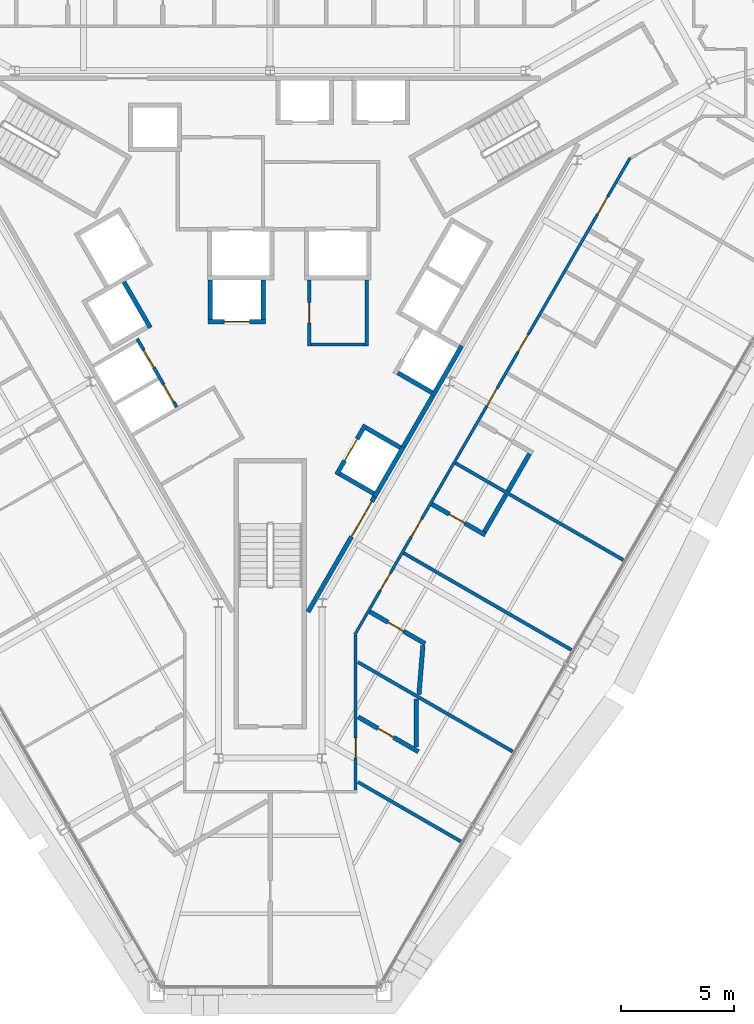
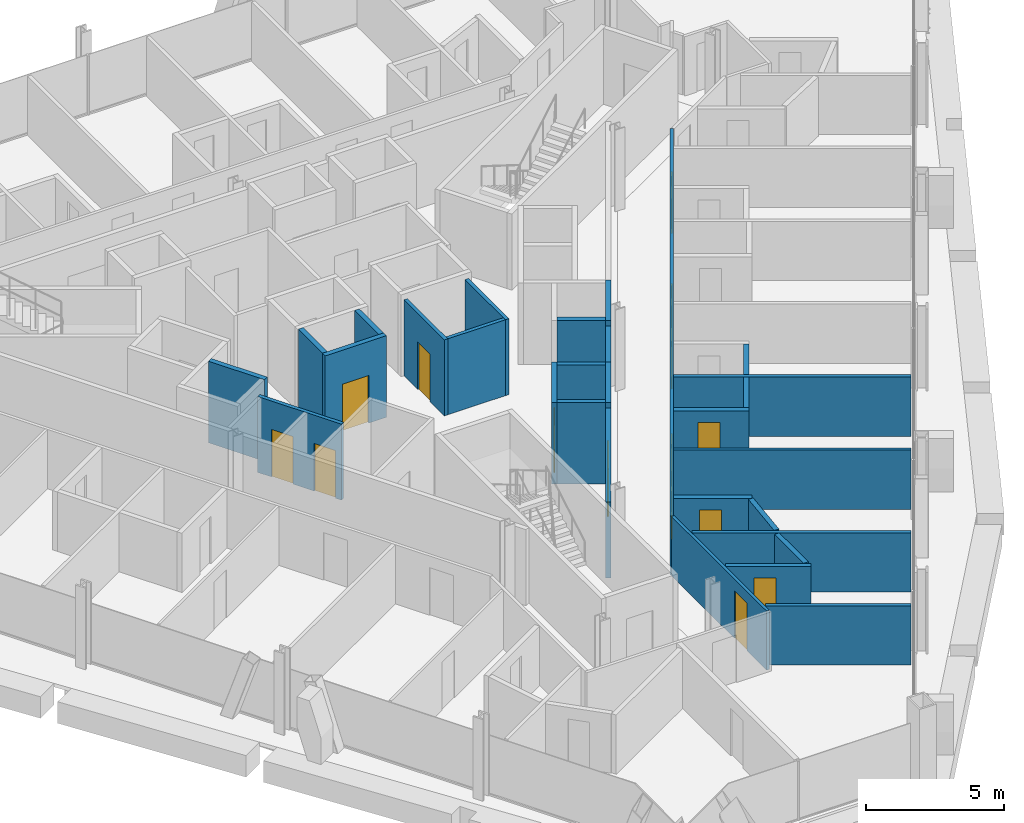
# One storey, part 11 of 17: 29 walls, 15 doors, 15 openings.
"""IFC4 building model written with IfcOpenShell, lengths in metres."""

from ifc_helpers import new_model, si_unit, direction, frame, frame_2d, origin, place, context, subcontext, project, spatial, rectangle, extrude, material, layer, layer_set, type_object, element, fill, save


model = new_model("IFC4")

# Units and contexts
model_context = context("Model", 3, precision=1e-05, world=origin(), true_north=direction((0.0, 1.0)))
body_context = subcontext(model_context, "Body", "Model", "MODEL_VIEW")
ifc_project = project(units=[si_unit("LENGTHUNIT", "METRE"), si_unit("AREAUNIT", "SQUARE_METRE"), si_unit("VOLUMEUNIT", "CUBIC_METRE"), si_unit("PLANEANGLEUNIT", "RADIAN"), si_unit("MASSUNIT", "GRAM", prefix="KILO")], contexts=[model_context])

# Site, building, storey
site_placement = place(None, origin())
site = spatial("IfcSite", under=ifc_project, at=site_placement, CompositionType="ELEMENT")
building_placement = place(site_placement, origin())
building = spatial("IfcBuilding", under=site, at=building_placement, Name="Verrane Prism Tower", CompositionType="ELEMENT")
storey_placement = place(building_placement, frame((0.0, 0.0, 136.0)))
storey = spatial("IfcBuildingStorey", under=building, at=storey_placement, Name="L33", CompositionType="ELEMENT", Elevation=136.0)

# Wall, opening, door
ifc_material_1 = material(Name="Gypsum board partition", Category="other")
ifc_layer_1 = layer(ifc_material_1, 0.199951171875)
ifc_layer_set_1 = layer_set([ifc_layer_1], Name="CW-200 core boundary wall 2 h")
wall_type_1 = type_object("IfcWallType", Name="CW-200 core boundary wall 2 h", PredefinedType="PARTITIONING", material=ifc_layer_set_1)
wall_1_placement = place(storey_placement, frame((1.677490234375, -14.814697265625, 0.0), z_axis=(0.0, 0.0, 1.0), x_axis=(0.49999445743, 0.866028603765, 0.0)))
wall_1 = element("IfcWall", 1, at=wall_1_placement, inside=storey, type_object=wall_type_1, Name="Core boundary wall CW3-003", PredefinedType="PARTITIONING", context=body_context, shape_type="SweptSolid", body=[
    extrude(rectangle(XDim=5.90478515625, YDim=0.199951171875, at=frame_2d((2.952392578125, 0.0))), origin(), (0.0, 0.0, 1.0), 3.35009765625),
])
opening_1_placement = place(wall_1_placement, frame((3.85498046875, 0.0, 0.0)))
opening_1 = element("IfcOpeningElement", 2, at=opening_1_placement, cuts=wall_1, Name="Opening D32517", PredefinedType="OPENING", context=body_context, shape_type="SweptSolid", body=[
    extrude(rectangle(XDim=1.800048828125, YDim=2.10009765625, at=frame_2d((0.89990234375, 1.050048828125))), frame((0.0, 0.10986328125, 0.0), z_axis=(0.0, -1.0, 0.0), x_axis=(1.0, 0.0, 0.0)), (0.0, 0.0, 1.0), 0.219970703125),
])
ifc_material_2 = material(Name="Timber veneered door leaf", Category="wood")
door_type_1 = type_object("IfcDoorType", Name="DR-1800x2100 FD60 double leaf lift lobby", OperationType="NOTDEFINED", PredefinedType="DOOR", material=ifc_material_2)
door_1_placement = place(opening_1_placement, origin())
door_1 = element("IfcDoor", 3, at=door_1_placement, inside=storey, type_object=door_type_1, Name="Lift lobby door D32517", OperationType="DOUBLE_DOOR_SINGLE_SWING", OverallHeight=2.10009765625, OverallWidth=1.800048828125, PredefinedType="DOOR", context=body_context, shape_type="SweptSolid", body=[
    extrude(rectangle(XDim=1.800048828125, YDim=2.10009765625, at=frame_2d((0.89990234375, 1.050048828125))), frame((0.0, 0.02490234375, 0.0), z_axis=(0.0, -1.0, 0.0), x_axis=(1.0, 0.0, 0.0)), (0.0, 0.0, 1.0), 0.050048828125),
])
fill(opening_1, door_1)

# Wall
wall_2_placement = place(storey_placement, frame((5.906005859375, -7.489990234375, 0.0), z_axis=(0.0, 0.0, 1.0), x_axis=(0.500252727967, 0.865879442048, 0.0)))
element("IfcWall", 4, at=wall_2_placement, inside=storey, type_object=wall_type_1, Name="Core boundary wall CW3-005", PredefinedType="PARTITIONING", context=body_context, shape_type="SweptSolid", body=[
    extrude(rectangle(XDim=2.616943359375, YDim=0.199951171875, at=frame_2d((1.30859375, 0.0))), origin(), (0.0, 0.0, 1.0), 3.35009765625),
])

# Wall, opening, door
ifc_material_3 = material(Name="Gypsum board shaft wall assembly", Category="other")
ifc_layer_2 = layer(ifc_material_3, 0.199951171875)
ifc_layer_set_2 = layer_set([ifc_layer_2], Name="HW-200 lift shaft wall 2 h")
wall_type_2 = type_object("IfcWallType", Name="HW-200 lift shaft wall 2 h", PredefinedType="PARTITIONING", material=ifc_layer_set_2)
wall_3_placement = place(storey_placement, frame((-2.7548828125, -1.949951171875, 0.0), z_axis=(0.0, 0.0, 1.0), x_axis=(1.0, 0.0, 0.0)))
wall_3 = element("IfcWall", 5, at=wall_3_placement, inside=storey, type_object=wall_type_2, Name="Lift shaft wall", PredefinedType="PARTITIONING", context=body_context, shape_type="SweptSolid", body=[
    extrude(rectangle(XDim=2.5498046875, YDim=0.199951171875, at=frame_2d((1.27490234375, 0.0))), origin(), (0.0, 0.0, 1.0), 3.60009765625),
])
opening_2_placement = place(wall_3_placement, frame((0.72509765625, 0.0, 0.0)))
opening_2 = element("IfcOpeningElement", 6, at=opening_2_placement, cuts=wall_3, Name="Opening D32504", PredefinedType="OPENING", context=body_context, shape_type="SweptSolid", body=[
    extrude(rectangle(XDim=1.10009765625, YDim=2.10009765625, at=frame_2d((0.550048828125, 1.050048828125))), frame((0.0, 0.10986328125, 0.0), z_axis=(0.0, -1.0, 0.0), x_axis=(1.0, 0.0, 0.0)), (0.0, 0.0, 1.0), 0.219970703125),
])
ifc_material_4 = material(Name="Stainless steel sliding landing door", Category="steel")
door_type_2 = type_object("IfcDoorType", Name="LD-1100x2100 lift landing door FD90 sliding", OperationType="NOTDEFINED", PredefinedType="DOOR", material=ifc_material_4)
door_2_placement = place(opening_2_placement, origin())
door_2 = element("IfcDoor", 7, at=door_2_placement, inside=storey, type_object=door_type_2, Name="Bank A lift 2 landing door", OperationType="SLIDING_TO_RIGHT", OverallHeight=2.10009765625, OverallWidth=1.10009765625, PredefinedType="DOOR", context=body_context, shape_type="SweptSolid", body=[
    extrude(rectangle(XDim=1.10009765625, YDim=2.10009765625, at=frame_2d((0.550048828125, 1.050048828125))), frame((0.0, 0.02490234375, 0.0), z_axis=(0.0, -1.0, 0.0), x_axis=(1.0, 0.0, 0.0)), (0.0, 0.0, 1.0), 0.050048828125),
])
fill(opening_2, door_2)

# Walls
wall_4_placement = place(storey_placement, frame((4.63037109375, -9.69970703125, 0.0), z_axis=(0.0, 0.0, 1.0), x_axis=(0.500062241894, 0.865989465428, 0.0)))
element("IfcWall", 8, at=wall_4_placement, inside=storey, type_object=wall_type_2, Name="Lift shaft wall", PredefinedType="PARTITIONING", context=body_context, shape_type="SweptSolid", body=[
    extrude(rectangle(XDim=2.550048828125, YDim=0.199951171875, at=frame_2d((1.27490234375, 0.0))), origin(), (0.0, 0.0, 1.0), 3.60009765625),
])
wall_5_placement = place(storey_placement, frame((7.215576171875, -5.222412109375, 0.0), z_axis=(0.0, 0.0, 1.0), x_axis=(0.499990435942, 0.866030925526, 0.0)))
element("IfcWall", 9, at=wall_5_placement, inside=storey, type_object=wall_type_2, Name="Lift shaft wall", PredefinedType="PARTITIONING", context=body_context, shape_type="SweptSolid", body=[
    extrude(rectangle(XDim=2.5498046875, YDim=0.199951171875, at=frame_2d((1.27490234375, 0.0))), origin(), (0.0, 0.0, 1.0), 3.60009765625),
])

# Wall, opening, door
wall_6_placement = place(storey_placement, frame((2.941650390625, -8.724853515625, 0.0), z_axis=(0.0, 0.0, 1.0), x_axis=(0.500020783669, 0.866013403995, 0.0)))
wall_6 = element("IfcWall", 10, at=wall_6_placement, inside=storey, type_object=wall_type_2, Name="Lift shaft wall", PredefinedType="PARTITIONING", context=body_context, shape_type="SweptSolid", body=[
    extrude(rectangle(XDim=2.55029296875, YDim=0.199951171875, at=frame_2d((1.275146484375, 0.0))), origin(), (0.0, 0.0, 1.0), 3.60009765625),
])
opening_3_placement = place(wall_6_placement, frame((0.72509765625, 0.0, 0.0)))
opening_3 = element("IfcOpeningElement", 11, at=opening_3_placement, cuts=wall_6, Name="Opening D32506", PredefinedType="OPENING", context=body_context, shape_type="SweptSolid", body=[
    extrude(rectangle(XDim=1.10009765625, YDim=2.10009765625, at=frame_2d((0.550048828125, 1.050048828125))), frame((0.0, 0.10986328125, 0.0), z_axis=(0.0, -1.0, 0.0), x_axis=(1.0, 0.0, 0.0)), (0.0, 0.0, 1.0), 0.219970703125),
])
door_3_placement = place(opening_3_placement, origin())
door_3 = element("IfcDoor", 12, at=door_3_placement, inside=storey, type_object=door_type_2, Name="Bank A lift 4 landing door", OperationType="SLIDING_TO_RIGHT", OverallHeight=2.10009765625, OverallWidth=1.10009765625, PredefinedType="DOOR", context=body_context, shape_type="SweptSolid", body=[
    extrude(rectangle(XDim=1.10009765625, YDim=2.10009765625, at=frame_2d((0.550048828125, 1.050048828125))), frame((0.0, 0.02490234375, 0.0), z_axis=(0.0, -1.0, 0.0), x_axis=(1.0, 0.0, 0.0)), (0.0, 0.0, 1.0), 0.050048828125),
])
fill(opening_3, door_3)

# Walls
for number, where, z_axis, x_axis, name in (
    (13, (-0.304931640625, -1.85009765625, 0.0), (0.0, 0.0, 1.0), (0.0, 1.0, 0.0), "Lift shaft wall"),
    (14, (-2.655029296875, -1.85009765625, 0.0), (0.0, 0.0, 1.0), (0.0, 1.0, 0.0), "Lift shaft wall"),
):
    element("IfcWall", number, at=place(storey_placement, frame(where, z_axis=z_axis, x_axis=x_axis)), inside=storey, type_object=wall_type_2, Name=name, PredefinedType="PARTITIONING", context=body_context, shape_type="SweptSolid", body=[
        extrude(rectangle(XDim=1.75, YDim=0.199951171875, at=frame_2d((0.875, 0.0))), origin(), (0.0, 0.0, 1.0), 3.60009765625),
    ])
wall_7_placement = place(storey_placement, frame((-5.317626953125, -2.209716796875, 0.0), z_axis=(0.0, 0.0, 1.0), x_axis=(-0.499938297808, 0.866061024631, 0.0)))
element("IfcWall", 15, at=wall_7_placement, inside=storey, type_object=wall_type_2, Name="Lift shaft wall", PredefinedType="PARTITIONING", context=body_context, shape_type="SweptSolid", body=[
    extrude(rectangle(XDim=2.349853515625, YDim=0.199951171875, at=frame_2d((1.1748046875, 0.0))), origin(), (0.0, 0.0, 1.0), 3.60009765625),
])
wall_8_placement = place(storey_placement, frame((7.178955078125, -5.085693359375, 0.0), z_axis=(0.0, 0.0, 1.0), x_axis=(-0.866036909293, 0.499980071345, 0.0)))
element("IfcWall", 16, at=wall_8_placement, inside=storey, type_object=wall_type_2, Name="Lift shaft wall", PredefinedType="PARTITIONING", context=body_context, shape_type="SweptSolid", body=[
    extrude(rectangle(XDim=1.75, YDim=0.199951171875, at=frame_2d((0.875, 0.0))), origin(), (0.0, 0.0, 1.0), 3.60009765625),
])
wall_9_placement = place(storey_placement, frame((5.768798828125, -7.528076171875, 0.0), z_axis=(0.0, 0.0, 1.0), x_axis=(-0.866002029911, 0.500040482552, 0.0)))
element("IfcWall", 17, at=wall_9_placement, inside=storey, type_object=wall_type_2, Name="Lift shaft wall", PredefinedType="PARTITIONING", context=body_context, shape_type="SweptSolid", body=[
    extrude(rectangle(XDim=1.749755859375, YDim=0.199951171875, at=frame_2d((0.875, 0.0))), origin(), (0.0, 0.0, 1.0), 3.60009765625),
])
wall_10_placement = place(storey_placement, frame((4.593994140625, -9.563232421875, 0.0), z_axis=(0.0, 0.0, 1.0), x_axis=(-0.866036909293, 0.499980071345, 0.0)))
element("IfcWall", 18, at=wall_10_placement, inside=storey, type_object=wall_type_2, Name="Lift shaft wall", PredefinedType="PARTITIONING", context=body_context, shape_type="SweptSolid", body=[
    extrude(rectangle(XDim=1.75, YDim=0.199951171875, at=frame_2d((0.875, 0.0))), origin(), (0.0, 0.0, 1.0), 3.60009765625),
])

# Wall, opening, door
ifc_material_5 = material(Name="Gypsum board partition", Category="other")
ifc_layer_3 = layer(ifc_material_5, 0.125)
ifc_layer_set_3 = layer_set([ifc_layer_3], Name="PW-125 corridor wall 1 h")
wall_type_3 = type_object("IfcWallType", Name="PW-125 corridor wall 1 h", PredefinedType="PARTITIONING", material=ifc_layer_set_3)
wall_11_placement = place(storey_placement, frame((3.787109375, -15.846923828125, 0.0), z_axis=(0.0, 0.0, 1.0), x_axis=(0.0, -1.0, 0.0)))
wall_11 = element("IfcWall", 19, at=wall_11_placement, inside=storey, type_object=wall_type_3, Name="Corridor wall 052", PredefinedType="PARTITIONING", context=body_context, shape_type="SweptSolid", body=[
    extrude(rectangle(XDim=6.875, YDim=0.125, at=frame_2d((3.4375, 0.0))), origin(), (0.0, 0.0, 1.0), 2.613037109375),
])
opening_4_placement = place(wall_11_placement, frame((4.551025390625, 0.0, 0.0)))
opening_4 = element("IfcOpeningElement", 20, at=opening_4_placement, cuts=wall_11, Name="Opening D32001", PredefinedType="OPENING", context=body_context, shape_type="SweptSolid", body=[
    extrude(rectangle(XDim=0.89990234375, YDim=2.10009765625, at=frame_2d((0.449951171875, 1.050048828125))), frame((0.0, 0.072509765625, 0.0), z_axis=(0.0, -1.0, 0.0), x_axis=(1.0, 0.0, 0.0)), (0.0, 0.0, 1.0), 0.14501953125),
])
ifc_material_6 = material(Name="Timber veneered door leaf", Category="wood")
door_type_3 = type_object("IfcDoorType", Name="DR-900x2100 FD20 single leaf unit", OperationType="NOTDEFINED", PredefinedType="DOOR", material=ifc_material_6)
door_4_placement = place(opening_4_placement, origin())
door_4 = element("IfcDoor", 21, at=door_4_placement, inside=storey, type_object=door_type_3, Name="Guest Room door", OperationType="SINGLE_SWING_RIGHT", OverallHeight=2.10009765625, OverallWidth=0.89990234375, PredefinedType="DOOR", context=body_context, shape_type="SweptSolid", body=[
    extrude(rectangle(XDim=0.89990234375, YDim=2.10009765625, at=frame_2d((0.449951171875, 1.050048828125))), frame((0.0, 0.02490234375, 0.0), z_axis=(0.0, -1.0, 0.0), x_axis=(1.0, 0.0, 0.0)), (0.0, 0.0, 1.0), 0.050048828125),
])
fill(opening_4, door_4)

# Wall, openings, doors
wall_12_placement = place(storey_placement, frame((15.962158203125, 5.326171875, 0.0), z_axis=(0.0, 0.0, 1.0), x_axis=(-0.499992829944, -0.866029543379, 0.0)))
wall_12 = element("IfcWall", 22, at=wall_12_placement, inside=storey, type_object=wall_type_3, Name="Corridor wall 056", PredefinedType="PARTITIONING", context=body_context, shape_type="SweptSolid", body=[
    extrude(rectangle(XDim=24.412841796875, YDim=0.125, at=frame_2d((12.20654296875, 0.0))), origin(), (0.0, 0.0, 1.0), 2.613037109375),
])
opening_5_placement = place(wall_12_placement, frame((21.257568359375, 0.0, 0.0)))
opening_5 = element("IfcOpeningElement", 23, at=opening_5_placement, cuts=wall_12, Name="Opening D32003", PredefinedType="OPENING", context=body_context, shape_type="SweptSolid", body=[
    extrude(rectangle(XDim=0.89990234375, YDim=2.10009765625, at=frame_2d((0.449951171875, 1.050048828125))), frame((0.0, 0.072509765625, 0.0), z_axis=(0.0, -1.0, 0.0), x_axis=(1.0, 0.0, 0.0)), (0.0, 0.0, 1.0), 0.14501953125),
])
opening_6_placement = place(wall_12_placement, frame((18.50244140625, 0.0, 0.0)))
opening_6 = element("IfcOpeningElement", 24, at=opening_6_placement, cuts=wall_12, Name="Opening D32005", PredefinedType="OPENING", context=body_context, shape_type="SweptSolid", body=[
    extrude(rectangle(XDim=0.89990234375, YDim=2.10009765625, at=frame_2d((0.449951171875, 1.050048828125))), frame((0.0, 0.072509765625, 0.0), z_axis=(0.0, -1.0, 0.0), x_axis=(1.0, 0.0, 0.0)), (0.0, 0.0, 1.0), 0.14501953125),
])
opening_7_placement = place(wall_12_placement, frame((11.798583984375, 0.0, 0.0)))
opening_7 = element("IfcOpeningElement", 25, at=opening_7_placement, cuts=wall_12, Name="Opening D32007", PredefinedType="OPENING", context=body_context, shape_type="SweptSolid", body=[
    extrude(rectangle(XDim=0.89990234375, YDim=2.10009765625, at=frame_2d((0.449951171875, 1.050048828125))), frame((0.0, 0.072509765625, 0.0), z_axis=(0.0, -1.0, 0.0), x_axis=(1.0, 0.0, 0.0)), (0.0, 0.0, 1.0), 0.14501953125),
])
opening_8_placement = place(wall_12_placement, frame((9.04345703125, 0.0, 0.0)))
opening_8 = element("IfcOpeningElement", 26, at=opening_8_placement, cuts=wall_12, Name="Opening D32009", PredefinedType="OPENING", context=body_context, shape_type="SweptSolid", body=[
    extrude(rectangle(XDim=0.89990234375, YDim=2.10009765625, at=frame_2d((0.449951171875, 1.050048828125))), frame((0.0, 0.072509765625, 0.0), z_axis=(0.0, -1.0, 0.0), x_axis=(1.0, 0.0, 0.0)), (0.0, 0.0, 1.0), 0.14501953125),
])
opening_9_placement = place(wall_12_placement, frame((1.989501953125, 0.0, 0.0)))
opening_9 = element("IfcOpeningElement", 27, at=opening_9_placement, cuts=wall_12, Name="Opening D32011", PredefinedType="OPENING", context=body_context, shape_type="SweptSolid", body=[
    extrude(rectangle(XDim=0.89990234375, YDim=2.10009765625, at=frame_2d((0.449951171875, 1.050048828125))), frame((0.0, 0.072509765625, 0.0), z_axis=(0.0, -1.0, 0.0), x_axis=(1.0, 0.0, 0.0)), (0.0, 0.0, 1.0), 0.14501953125),
])
door_5_placement = place(opening_5_placement, origin())
door_5 = element("IfcDoor", 28, at=door_5_placement, inside=storey, type_object=door_type_3, Name="Guest Room door", OperationType="SINGLE_SWING_RIGHT", OverallHeight=2.10009765625, OverallWidth=0.89990234375, PredefinedType="DOOR", context=body_context, shape_type="SweptSolid", body=[
    extrude(rectangle(XDim=0.89990234375, YDim=2.10009765625, at=frame_2d((0.449951171875, 1.050048828125))), frame((0.0, 0.02490234375, 0.0), z_axis=(0.0, -1.0, 0.0), x_axis=(1.0, 0.0, 0.0)), (0.0, 0.0, 1.0), 0.050048828125),
])
fill(opening_5, door_5)
door_6_placement = place(opening_6_placement, origin())
door_6 = element("IfcDoor", 29, at=door_6_placement, inside=storey, type_object=door_type_3, Name="Guest Room door", OperationType="SINGLE_SWING_RIGHT", OverallHeight=2.10009765625, OverallWidth=0.89990234375, PredefinedType="DOOR", context=body_context, shape_type="SweptSolid", body=[
    extrude(rectangle(XDim=0.89990234375, YDim=2.10009765625, at=frame_2d((0.449951171875, 1.050048828125))), frame((0.0, 0.02490234375, 0.0), z_axis=(0.0, -1.0, 0.0), x_axis=(1.0, 0.0, 0.0)), (0.0, 0.0, 1.0), 0.050048828125),
])
fill(opening_6, door_6)
door_7_placement = place(opening_7_placement, origin())
door_7 = element("IfcDoor", 30, at=door_7_placement, inside=storey, type_object=door_type_3, Name="Guest Room door", OperationType="SINGLE_SWING_RIGHT", OverallHeight=2.10009765625, OverallWidth=0.89990234375, PredefinedType="DOOR", context=body_context, shape_type="SweptSolid", body=[
    extrude(rectangle(XDim=0.89990234375, YDim=2.10009765625, at=frame_2d((0.449951171875, 1.050048828125))), frame((0.0, 0.02490234375, 0.0), z_axis=(0.0, -1.0, 0.0), x_axis=(1.0, 0.0, 0.0)), (0.0, 0.0, 1.0), 0.050048828125),
])
fill(opening_7, door_7)
door_8_placement = place(opening_8_placement, origin())
door_8 = element("IfcDoor", 31, at=door_8_placement, inside=storey, type_object=door_type_3, Name="Guest Room door", OperationType="SINGLE_SWING_RIGHT", OverallHeight=2.10009765625, OverallWidth=0.89990234375, PredefinedType="DOOR", context=body_context, shape_type="SweptSolid", body=[
    extrude(rectangle(XDim=0.89990234375, YDim=2.10009765625, at=frame_2d((0.449951171875, 1.050048828125))), frame((0.0, 0.02490234375, 0.0), z_axis=(0.0, -1.0, 0.0), x_axis=(1.0, 0.0, 0.0)), (0.0, 0.0, 1.0), 0.050048828125),
])
fill(opening_8, door_8)
door_9_placement = place(opening_9_placement, origin())
door_9 = element("IfcDoor", 32, at=door_9_placement, inside=storey, type_object=door_type_3, Name="Guest Room door", OperationType="SINGLE_SWING_RIGHT", OverallHeight=2.10009765625, OverallWidth=0.89990234375, PredefinedType="DOOR", context=body_context, shape_type="SweptSolid", body=[
    extrude(rectangle(XDim=0.89990234375, YDim=2.10009765625, at=frame_2d((0.449951171875, 1.050048828125))), frame((0.0, 0.02490234375, 0.0), z_axis=(0.0, -1.0, 0.0), x_axis=(1.0, 0.0, 0.0)), (0.0, 0.0, 1.0), 0.050048828125),
])
fill(opening_9, door_9)

# Walls
ifc_material_7 = material(Name="Gypsum board partition", Category="other")
ifc_layer_4 = layer(ifc_material_7, 0.14990234375)
ifc_layer_set_4 = layer_set([ifc_layer_4], Name="PW-150 demising wall 1 h")
wall_type_4 = type_object("IfcWallType", Name="PW-150 demising wall 1 h", PredefinedType="PARTITIONING", material=ifc_layer_set_4)
wall_13_placement = place(storey_placement, frame((3.886962890625, -22.355712890625, 0.0), z_axis=(0.0, 0.0, 1.0), x_axis=(0.866039804031, -0.499975057213, 0.0)))
element("IfcWall", 33, at=wall_13_placement, inside=storey, type_object=wall_type_4, Name="Demising wall 053", PredefinedType="PARTITIONING", context=body_context, shape_type="SweptSolid", body=[
    extrude(rectangle(XDim=5.270751953125, YDim=0.14990234375, at=frame_2d((2.63525390625, 0.0))), origin(), (0.0, 0.0, 1.0), 2.613037109375),
])
wall_14_placement = place(storey_placement, frame((3.886962890625, -17.039794921875, 0.0), z_axis=(0.0, 0.0, 1.0), x_axis=(0.866046118416, -0.499964119488, 0.0)))
element("IfcWall", 34, at=wall_14_placement, inside=storey, type_object=wall_type_4, Name="Demising wall 055", PredefinedType="PARTITIONING", context=body_context, shape_type="SweptSolid", body=[
    extrude(rectangle(XDim=7.9287109375, YDim=0.14990234375, at=frame_2d((3.96435546875, 0.0))), origin(), (0.0, 0.0, 1.0), 2.613037109375),
])
wall_15_placement = place(storey_placement, frame((5.916015625, -12.201171875, 0.0), z_axis=(0.0, 0.0, 1.0), x_axis=(0.865995804368, -0.50005126419, 0.0)))
element("IfcWall", 35, at=wall_15_placement, inside=storey, type_object=wall_type_4, Name="Demising wall 059", PredefinedType="PARTITIONING", context=body_context, shape_type="SweptSolid", body=[
    extrude(rectangle(XDim=8.5908203125, YDim=0.14990234375, at=frame_2d((4.29541015625, 0.0))), origin(), (0.0, 0.0, 1.0), 2.613037109375),
])
wall_16_placement = place(storey_placement, frame((8.218017578125, -8.213134765625, 0.0), z_axis=(0.0, 0.0, 1.0), x_axis=(0.865997709989, -0.500047963993, 0.0)))
element("IfcWall", 36, at=wall_16_placement, inside=storey, type_object=wall_type_4, Name="Demising wall 064", PredefinedType="PARTITIONING", context=body_context, shape_type="SweptSolid", body=[
    extrude(rectangle(XDim=8.591552734375, YDim=0.14990234375, at=frame_2d((4.2958984375, 0.0))), origin(), (0.0, 0.0, 1.0), 2.613037109375),
])

# Wall, opening, door
ifc_material_8 = material(Name="Gypsum board partition", Category="other")
ifc_layer_5 = layer(ifc_material_8, 0.199951171875)
ifc_layer_set_5 = layer_set([ifc_layer_5], Name="PW-200 plumbing wall")
wall_type_5 = type_object("IfcWallType", Name="PW-200 plumbing wall", PredefinedType="PARTITIONING", material=ifc_layer_set_5)
wall_17_placement = place(storey_placement, frame((3.8994140625, -19.470947265625, 0.0), z_axis=(0.0, 0.0, 1.0), x_axis=(0.866015731669, -0.500016752221, 0.0)))
wall_17 = element("IfcWall", 37, at=wall_17_placement, inside=storey, type_object=wall_type_5, Name="Plumbing wall 054", PredefinedType="PARTITIONING", context=body_context, shape_type="SweptSolid", body=[
    extrude(rectangle(XDim=3.087890625, YDim=0.199951171875, at=frame_2d((1.5439453125, 0.0))), origin(), (0.0, 0.0, 1.0), 2.613037109375),
])
opening_10_placement = place(wall_17_placement, frame((1.02001953125, 0.0, 0.0)))
opening_10 = element("IfcOpeningElement", 38, at=opening_10_placement, cuts=wall_17, Name="Opening D32002", PredefinedType="OPENING", context=body_context, shape_type="SweptSolid", body=[
    extrude(rectangle(XDim=0.800048828125, YDim=2.10009765625, at=frame_2d((0.39990234375, 1.050048828125))), frame((0.0, 0.10986328125, 0.0), z_axis=(0.0, -1.0, 0.0), x_axis=(1.0, 0.0, 0.0)), (0.0, 0.0, 1.0), 0.219970703125),
])
ifc_material_9 = material(Name="Timber veneered door leaf", Category="wood")
door_type_4 = type_object("IfcDoorType", Name="DR-800x2100 single leaf bath", OperationType="NOTDEFINED", PredefinedType="DOOR", material=ifc_material_9)
door_10_placement = place(opening_10_placement, origin())
door_10 = element("IfcDoor", 39, at=door_10_placement, inside=storey, type_object=door_type_4, Name="En-Suite door", OperationType="SINGLE_SWING_RIGHT", OverallHeight=2.10009765625, OverallWidth=0.800048828125, PredefinedType="DOOR", context=body_context, shape_type="SweptSolid", body=[
    extrude(rectangle(XDim=0.800048828125, YDim=2.10009765625, at=frame_2d((0.39990234375, 1.050048828125))), frame((0.0, 0.02490234375, 0.0), z_axis=(0.0, -1.0, 0.0), x_axis=(1.0, 0.0, 0.0)), (0.0, 0.0, 1.0), 0.050048828125),
])
fill(opening_10, door_10)

wall_18_placement = place(storey_placement, frame((6.87060546875, -16.221923828125, 0.0), z_axis=(0.0, 0.0, 1.0), x_axis=(-0.866048046904, 0.499960778915, 0.0)))
wall_18 = element("IfcWall", 40, at=wall_18_placement, inside=storey, type_object=wall_type_5, Name="Plumbing wall 057", PredefinedType="PARTITIONING", context=body_context, shape_type="SweptSolid", body=[
    extrude(rectangle(XDim=2.837646484375, YDim=0.199951171875, at=frame_2d((1.4189453125, 0.0))), origin(), (0.0, 0.0, 1.0), 2.613037109375),
])
opening_11_placement = place(wall_18_placement, frame((1.10009765625, 0.0, 0.0)))
opening_11 = element("IfcOpeningElement", 41, at=opening_11_placement, cuts=wall_18, Name="Opening D32004", PredefinedType="OPENING", context=body_context, shape_type="SweptSolid", body=[
    extrude(rectangle(XDim=0.800048828125, YDim=2.10009765625, at=frame_2d((0.39990234375, 1.050048828125))), frame((0.0, 0.10986328125, 0.0), z_axis=(0.0, -1.0, 0.0), x_axis=(1.0, 0.0, 0.0)), (0.0, 0.0, 1.0), 0.219970703125),
])
door_11_placement = place(opening_11_placement, origin())
door_11 = element("IfcDoor", 42, at=door_11_placement, inside=storey, type_object=door_type_4, Name="En-Suite door", OperationType="SINGLE_SWING_LEFT", OverallHeight=2.10009765625, OverallWidth=0.800048828125, PredefinedType="DOOR", context=body_context, shape_type="SweptSolid", body=[
    extrude(rectangle(XDim=0.800048828125, YDim=2.10009765625, at=frame_2d((0.39990234375, 1.050048828125))), frame((0.0, 0.02490234375, 0.0), z_axis=(0.0, -1.0, 0.0), x_axis=(1.0, 0.0, 0.0)), (0.0, 0.0, 1.0), 0.050048828125),
])
fill(opening_11, door_11)

# Walls
wall_19_placement = place(storey_placement, frame((6.487060546875, -20.794921875, 0.0), z_axis=(0.0, 0.0, 1.0), x_axis=(0.0, 1.0, 0.0)))
element("IfcWall", 43, at=wall_19_placement, inside=storey, type_object=wall_type_5, Name="Plumbing wall 060", PredefinedType="PARTITIONING", context=body_context, shape_type="SweptSolid", body=[
    extrude(rectangle(XDim=2.110595703125, YDim=0.199951171875, at=frame_2d((1.05517578125, 0.0))), origin(), (0.0, 0.0, 1.0), 2.613037109375),
])
wall_20_placement = place(storey_placement, frame((6.59765625, -18.468017578125, 0.0), z_axis=(0.0, 0.0, 1.0), x_axis=(0.080948878916, 0.996718254575, 0.0)))
element("IfcWall", 44, at=wall_20_placement, inside=storey, type_object=wall_type_5, Name="Plumbing wall 061", PredefinedType="PARTITIONING", context=body_context, shape_type="SweptSolid", body=[
    extrude(rectangle(XDim=2.16845703125, YDim=0.199951171875, at=frame_2d((1.084228515625, 0.0))), origin(), (0.0, 0.0, 1.0), 2.613037109375),
])

# Wall, opening, door
wall_21_placement = place(storey_placement, frame((7.168212890625, -10.0322265625, 0.0), z_axis=(0.0, 0.0, 1.0), x_axis=(0.86596722502, -0.50010075504, 0.0)))
wall_21 = element("IfcWall", 45, at=wall_21_placement, inside=storey, type_object=wall_type_5, Name="Plumbing wall 063", PredefinedType="PARTITIONING", context=body_context, shape_type="SweptSolid", body=[
    extrude(rectangle(XDim=2.7373046875, YDim=0.199951171875, at=frame_2d((1.36865234375, 0.0))), origin(), (0.0, 0.0, 1.0), 2.613037109375),
])
opening_12_placement = place(wall_21_placement, frame((0.887451171875, 0.0, 0.0)))
opening_12 = element("IfcOpeningElement", 46, at=opening_12_placement, cuts=wall_21, Name="Opening D32006", PredefinedType="OPENING", context=body_context, shape_type="SweptSolid", body=[
    extrude(rectangle(XDim=0.800048828125, YDim=2.10009765625, at=frame_2d((0.39990234375, 1.050048828125))), frame((0.0, 0.10986328125, 0.0), z_axis=(0.0, -1.0, 0.0), x_axis=(1.0, 0.0, 0.0)), (0.0, 0.0, 1.0), 0.219970703125),
])
door_12_placement = place(opening_12_placement, origin())
door_12 = element("IfcDoor", 47, at=door_12_placement, inside=storey, type_object=door_type_4, Name="En-Suite door", OperationType="SINGLE_SWING_RIGHT", OverallHeight=2.10009765625, OverallWidth=0.800048828125, PredefinedType="DOOR", context=body_context, shape_type="SweptSolid", body=[
    extrude(rectangle(XDim=0.800048828125, YDim=2.10009765625, at=frame_2d((0.39990234375, 1.050048828125))), frame((0.0, 0.02490234375, 0.0), z_axis=(0.0, -1.0, 0.0), x_axis=(1.0, 0.0, 0.0)), (0.0, 0.0, 1.0), 0.050048828125),
])
fill(opening_12, door_12)

# Walls
wall_22_placement = place(storey_placement, frame((9.501953125, -11.264404296875, 0.0), z_axis=(0.0, 0.0, 1.0), x_axis=(0.499887618105, 0.86609027778, 0.0)))
element("IfcWall", 48, at=wall_22_placement, inside=storey, type_object=wall_type_5, Name="Plumbing wall 068", PredefinedType="PARTITIONING", context=body_context, shape_type="SweptSolid", body=[
    extrude(rectangle(XDim=1.91943359375, YDim=0.199951171875, at=frame_2d((0.959716796875, 0.0))), origin(), (0.0, 0.0, 1.0), 2.613037109375),
])
wall_23_placement = place(storey_placement, frame((10.54150390625, -9.463134765625, 0.0), z_axis=(0.0, 0.0, 1.0), x_axis=(0.500214044309, 0.865901789971, 0.0)))
element("IfcWall", 49, at=wall_23_placement, inside=storey, type_object=wall_type_5, Name="Plumbing wall 070", PredefinedType="PARTITIONING", context=body_context, shape_type="SweptSolid", body=[
    extrude(rectangle(XDim=1.920166015625, YDim=0.199951171875, at=frame_2d((0.9599609375, 0.0))), origin(), (0.0, 0.0, 1.0), 2.613037109375),
])

# Wall, openings, doors
ifc_material_10 = material(Name="Gypsum board partition", Category="other")
ifc_layer_6 = layer(ifc_material_10, 0.14990234375)
ifc_layer_set_6 = layer_set([ifc_layer_6], Name="RS-150 riser enclosure wall 1 h")
wall_type_6 = type_object("IfcWallType", Name="RS-150 riser enclosure wall 1 h", PredefinedType="PARTITIONING", material=ifc_layer_set_6)
wall_24_placement = place(storey_placement, frame((-4.152099609375, -5.728759765625, 0.0), z_axis=(0.0, 0.0, 1.0), x_axis=(-0.500024287448, 0.866011380966, 0.0)))
wall_24 = element("IfcWall", 50, at=wall_24_placement, inside=storey, type_object=wall_type_6, Name="Riser wall RS3-004", PredefinedType="PARTITIONING", context=body_context, shape_type="SweptSolid", body=[
    extrude(rectangle(XDim=3.500732421875, YDim=0.14990234375, at=frame_2d((1.75048828125, 0.0))), origin(), (0.0, 0.0, 1.0), 3.35009765625),
])
opening_13_placement = place(wall_24_placement, frame((2.025634765625, 0.0, 0.0)))
opening_13 = element("IfcOpeningElement", 51, at=opening_13_placement, cuts=wall_24, Name="Opening D32512", PredefinedType="OPENING", context=body_context, shape_type="SweptSolid", body=[
    extrude(rectangle(XDim=0.89990234375, YDim=2.10009765625, at=frame_2d((0.449951171875, 1.050048828125))), frame((0.0, 0.0849609375, 0.0), z_axis=(0.0, -1.0, 0.0), x_axis=(1.0, 0.0, 0.0)), (0.0, 0.0, 1.0), 0.169921875),
])
opening_14_placement = place(wall_24_placement, frame((0.247802734375, 0.0, 0.0)))
opening_14 = element("IfcOpeningElement", 52, at=opening_14_placement, cuts=wall_24, Name="Opening D32513", PredefinedType="OPENING", context=body_context, shape_type="SweptSolid", body=[
    extrude(rectangle(XDim=0.89990234375, YDim=2.10009765625, at=frame_2d((0.449951171875, 1.050048828125))), frame((0.0, 0.0849609375, 0.0), z_axis=(0.0, -1.0, 0.0), x_axis=(1.0, 0.0, 0.0)), (0.0, 0.0, 1.0), 0.169921875),
])
ifc_material_11 = material(Name="Timber veneered door leaf", Category="wood")
door_type_5 = type_object("IfcDoorType", Name="DR-900x2100 FD60 single leaf riser", OperationType="NOTDEFINED", PredefinedType="DOOR", material=ifc_material_11)
door_13_placement = place(opening_13_placement, origin())
door_13 = element("IfcDoor", 53, at=door_13_placement, inside=storey, type_object=door_type_5, Name="Riser door D32512", OperationType="SINGLE_SWING_RIGHT", OverallHeight=2.10009765625, OverallWidth=0.89990234375, PredefinedType="DOOR", context=body_context, shape_type="SweptSolid", body=[
    extrude(rectangle(XDim=0.89990234375, YDim=2.10009765625, at=frame_2d((0.449951171875, 1.050048828125))), frame((0.0, 0.02490234375, 0.0), z_axis=(0.0, -1.0, 0.0), x_axis=(1.0, 0.0, 0.0)), (0.0, 0.0, 1.0), 0.050048828125),
])
fill(opening_13, door_13)
door_14_placement = place(opening_14_placement, origin())
door_14 = element("IfcDoor", 54, at=door_14_placement, inside=storey, type_object=door_type_5, Name="Riser door D32513", OperationType="SINGLE_SWING_LEFT", OverallHeight=2.10009765625, OverallWidth=0.89990234375, PredefinedType="DOOR", context=body_context, shape_type="SweptSolid", body=[
    extrude(rectangle(XDim=0.89990234375, YDim=2.10009765625, at=frame_2d((0.449951171875, 1.050048828125))), frame((0.0, 0.02490234375, 0.0), z_axis=(0.0, -1.0, 0.0), x_axis=(1.0, 0.0, 0.0)), (0.0, 0.0, 1.0), 0.050048828125),
])
fill(opening_14, door_14)

# Wall, opening, door
wall_25_placement = place(storey_placement, frame((1.72509765625, -0.10205078125, 0.0), z_axis=(0.0, 0.0, 1.0), x_axis=(0.0, -1.0, 0.0)))
wall_25 = element("IfcWall", 55, at=wall_25_placement, inside=storey, type_object=wall_type_6, Name="Riser wall RS3-007", PredefinedType="PARTITIONING", context=body_context, shape_type="SweptSolid", body=[
    extrude(rectangle(XDim=2.9228515625, YDim=0.14990234375, at=frame_2d((1.46142578125, 0.0))), origin(), (0.0, 0.0, 1.0), 3.35009765625),
])
opening_15_placement = place(wall_25_placement, frame((0.998046875, 0.0, 0.0)))
opening_15 = element("IfcOpeningElement", 56, at=opening_15_placement, cuts=wall_25, Name="Opening D32518", PredefinedType="OPENING", context=body_context, shape_type="SweptSolid", body=[
    extrude(rectangle(XDim=0.89990234375, YDim=2.10009765625, at=frame_2d((0.449951171875, 1.050048828125))), frame((0.0, 0.0849609375, 0.0), z_axis=(0.0, -1.0, 0.0), x_axis=(1.0, 0.0, 0.0)), (0.0, 0.0, 1.0), 0.169921875),
])
ifc_material_12 = material(Name="Timber veneered door leaf", Category="wood")
door_type_6 = type_object("IfcDoorType", Name="DR-900x2100 FD20 single leaf store", OperationType="NOTDEFINED", PredefinedType="DOOR", material=ifc_material_12)
door_15_placement = place(opening_15_placement, origin())
door_15 = element("IfcDoor", 57, at=door_15_placement, inside=storey, type_object=door_type_6, Name="Room door D32518", OperationType="SINGLE_SWING_LEFT", OverallHeight=2.10009765625, OverallWidth=0.89990234375, PredefinedType="DOOR", context=body_context, shape_type="SweptSolid", body=[
    extrude(rectangle(XDim=0.89990234375, YDim=2.10009765625, at=frame_2d((0.449951171875, 1.050048828125))), frame((0.0, 0.02490234375, 0.0), z_axis=(0.0, -1.0, 0.0), x_axis=(1.0, 0.0, 0.0)), (0.0, 0.0, 1.0), 0.050048828125),
])
fill(opening_15, door_15)

# Walls
wall_26_placement = place(storey_placement, frame((1.800048828125, -2.949951171875, 0.0), z_axis=(0.0, 0.0, 1.0), x_axis=(1.0, 0.0, 0.0)))
element("IfcWall", 58, at=wall_26_placement, inside=storey, type_object=wall_type_6, Name="Riser wall RS3-008", PredefinedType="PARTITIONING", context=body_context, shape_type="SweptSolid", body=[
    extrude(rectangle(XDim=2.39990234375, YDim=0.14990234375, at=frame_2d((1.199951171875, 0.0))), origin(), (0.0, 0.0, 1.0), 3.35009765625),
])
wall_27_placement = place(storey_placement, frame((4.27490234375, -3.02490234375, 0.0), z_axis=(0.0, 0.0, 1.0), x_axis=(0.0, 1.0, 0.0)))
element("IfcWall", 59, at=wall_27_placement, inside=storey, type_object=wall_type_6, Name="Riser wall RS3-009", PredefinedType="PARTITIONING", context=body_context, shape_type="SweptSolid", body=[
    extrude(rectangle(XDim=2.9228515625, YDim=0.14990234375, at=frame_2d((1.46142578125, 0.0))), origin(), (0.0, 0.0, 1.0), 3.35009765625),
])

save(model, "model.ifc")
